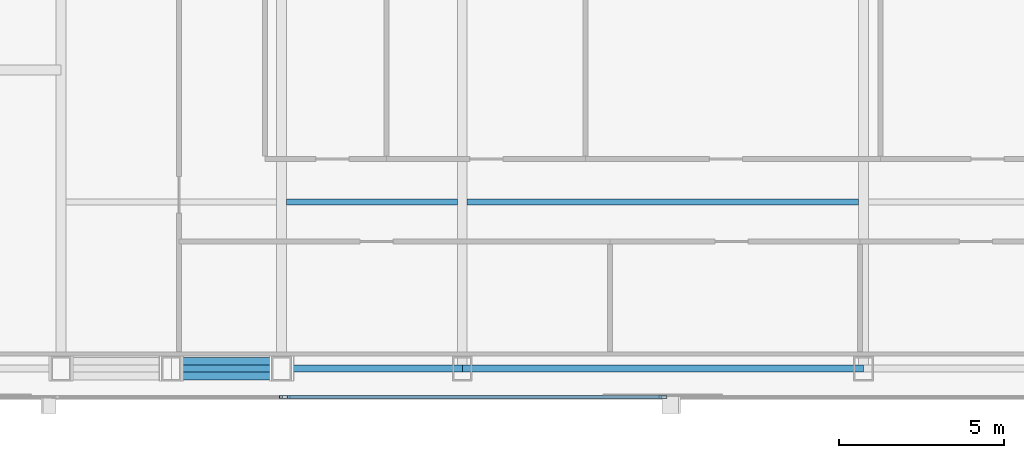
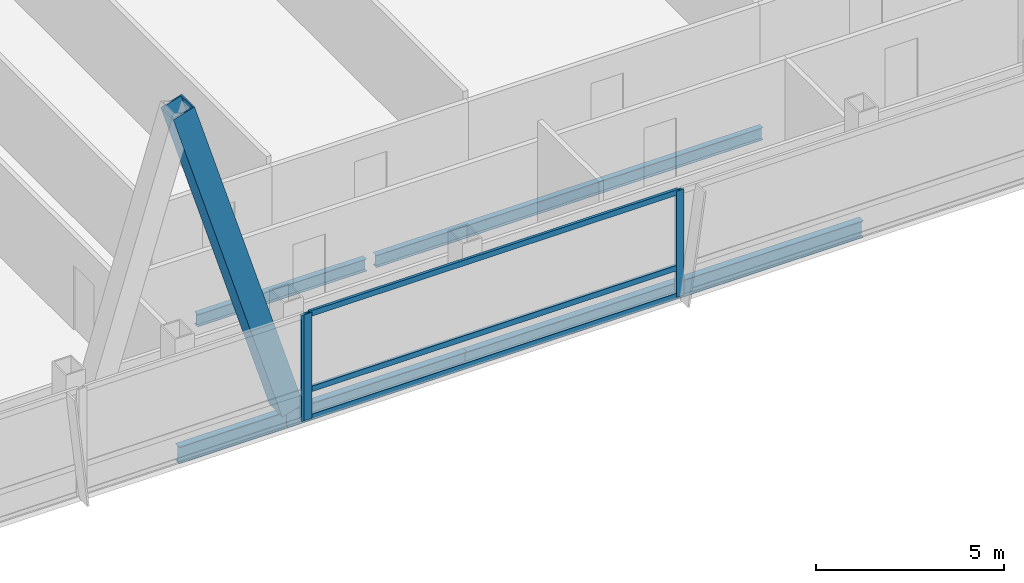
# One storey, part 8 of 31: 7 members, 5 beams, 2 elements without a shape of their own.
"""IFC4 building model written with IfcOpenShell, lengths in metres."""

from ifc_helpers import new_model, si_unit, direction, frame, origin, origin_2d, place, context, subcontext, project, spatial, hollow_rectangle, i_section, extrude, material, material_profile, profile_set, type_object, element, aggregate, save


model = new_model("IFC4")

# Units and contexts
model_context = context("Model", 3, precision=1e-05, world=origin(), true_north=direction((0.0, 1.0)))
body_context = subcontext(model_context, "Body", "Model", "MODEL_VIEW")
ifc_project = project(units=[si_unit("LENGTHUNIT", "METRE"), si_unit("AREAUNIT", "SQUARE_METRE"), si_unit("VOLUMEUNIT", "CUBIC_METRE"), si_unit("PLANEANGLEUNIT", "RADIAN"), si_unit("MASSUNIT", "GRAM", prefix="KILO")], contexts=[model_context])

# Site, building, storey
site_placement = place(None, origin())
site = spatial("IfcSite", under=ifc_project, at=site_placement, CompositionType="ELEMENT")
building_placement = place(site_placement, origin())
building = spatial("IfcBuilding", under=site, at=building_placement, Name="Khoronbel Lancet Exchange", CompositionType="ELEMENT")
storey_placement = place(building_placement, frame((0.0, 0.0, 273.39990234375)))
storey = spatial("IfcBuildingStorey", under=building, at=storey_placement, Name="L70", CompositionType="ELEMENT", Elevation=273.39990234375)

# Beams
ifc_material_1 = material(Name="Steel S355", Category="steel")
ifc_material_profile_1 = material_profile(ifc_material_1, i_section(OverallWidth=0.179931640625, OverallDepth=0.39990234375, WebThickness=0.008544921875, FlangeThickness=0.013427734375, at=origin_2d()), Name="IPE 400")
ifc_profile_set_1 = profile_set([ifc_material_profile_1], Name="Steel S355")
beam_type_1 = type_object("IfcBeamType", Name="BM-BJ5", PredefinedType="JOIST", material=ifc_profile_set_1)
beam_1_placement = place(storey_placement, frame((25.050048828125, 15.199951171875, -0.35986328125), z_axis=(1.0, 0.0, 0.0), x_axis=(0.0, 1.0, 0.0)))
element("IfcBeam", 1, at=beam_1_placement, inside=storey, type_object=beam_type_1, Name="Level L70 secondary composite joist J02", PredefinedType="JOIST", context=body_context, shape_type="SweptSolid", body=[
    extrude(i_section(OverallWidth=0.179931640625, OverallDepth=0.39990234375, WebThickness=0.008544921875, FlangeThickness=0.013427734375, at=origin_2d()), origin(), (0.0, 0.0, 1.0), 5.175048828125),
])
beam_2_placement = place(storey_placement, frame((30.52490234375, 15.199951171875, -0.35986328125), z_axis=(1.0, 0.0, 0.0), x_axis=(0.0, 1.0, 0.0)))
element("IfcBeam", 2, at=beam_2_placement, inside=storey, type_object=beam_type_1, Name="Level L70 secondary composite joist J03", PredefinedType="JOIST", context=body_context, shape_type="SweptSolid", body=[
    extrude(i_section(OverallWidth=0.179931640625, OverallDepth=0.39990234375, WebThickness=0.008544921875, FlangeThickness=0.013427734375, at=origin_2d()), origin(), (0.0, 0.0, 1.0), 11.85009765625),
])
ifc_material_profile_2 = material_profile(ifc_material_1, i_section(OverallWidth=0.2099609375, OverallDepth=0.550048828125, WebThickness=0.010986328125, FlangeThickness=0.01708984375, at=origin_2d()), Name="IPE 550")
ifc_profile_set_2 = profile_set([ifc_material_profile_2], Name="Steel S355")
beam_type_2 = type_object("IfcBeamType", Name="BM-BSP3", PredefinedType="SPANDREL", material=ifc_profile_set_2)
beam_3_placement = place(storey_placement, frame((21.5625, 10.14990234375, -0.434814453125), z_axis=(1.0, 0.0, 0.0), x_axis=(0.0, 1.0, 0.0)))
element("IfcBeam", 3, at=beam_3_placement, inside=storey, type_object=beam_type_2, Name="Level L70 perimeter spandrel beam SP03", PredefinedType="SPANDREL", context=body_context, shape_type="SweptSolid", body=[
    extrude(i_section(OverallWidth=0.2099609375, OverallDepth=0.550048828125, WebThickness=0.010986328125, FlangeThickness=0.01708984375, at=origin_2d()), origin(), (0.0, 0.0, 1.0), 3.33740234375),
])
beam_4_placement = place(storey_placement, frame((24.89990234375, 10.14990234375, -0.434814453125), z_axis=(1.0, 0.0, 0.0), x_axis=(0.0, 1.0, 0.0)))
element("IfcBeam", 4, at=beam_4_placement, inside=storey, type_object=beam_type_2, Name="Level L70 perimeter spandrel beam SP04", PredefinedType="SPANDREL", context=body_context, shape_type="SweptSolid", body=[
    extrude(i_section(OverallWidth=0.2099609375, OverallDepth=0.550048828125, WebThickness=0.010986328125, FlangeThickness=0.01708984375, at=origin_2d()), origin(), (0.0, 0.0, 1.0), 5.47509765625),
])
beam_5_placement = place(storey_placement, frame((30.375, 10.14990234375, -0.434814453125), z_axis=(1.0, 0.0, 0.0), x_axis=(0.0, 1.0, 0.0)))
element("IfcBeam", 5, at=beam_5_placement, inside=storey, type_object=beam_type_2, Name="Level L70 perimeter spandrel beam SP05", PredefinedType="SPANDREL", context=body_context, shape_type="SweptSolid", body=[
    extrude(i_section(OverallWidth=0.2099609375, OverallDepth=0.550048828125, WebThickness=0.010986328125, FlangeThickness=0.01708984375, at=origin_2d()), origin(), (0.0, 0.0, 1.0), 12.14990234375),
])

# Curtain wall, member
ifc_material_2 = material(Name="Low-E Solar Control Insulating Glass", Category="glass")
curtain_wall_type = type_object("IfcCurtainWallType", Name="CW-3", PredefinedType="NOTDEFINED", material=ifc_material_2)
curtain_wall_1_placement = place(storey_placement, origin())
curtain_wall_1 = element("IfcCurtainWall", 6, at=curtain_wall_1_placement, inside=storey, type_object=curtain_wall_type, Name="Unitised curtain wall CW-L70-SWB", PredefinedType="NOTDEFINED")
ifc_material_3 = material(Name="Bronze-Anodised Aluminium 6063-T6", Category="aluminium")
ifc_material_profile_3 = material_profile(ifc_material_3, hollow_rectangle(XDim=0.0849609375, YDim=0.239990234375, WallThickness=0.006103515625, at=origin_2d()), Name="ALU MULLION 85x240")
ifc_profile_set_3 = profile_set([ifc_material_profile_3], Name="Bronze-Anodised Aluminium 6063-T6")
member_type_1 = type_object("IfcMemberType", Name="MEM-CWM1", PredefinedType="MULLION", material=ifc_profile_set_3)
member_1_placement = place(storey_placement, frame((24.95751953125, 9.2900390625, 0.0), z_axis=(0.0, 0.0, 1.0), x_axis=(0.0, 1.0, 0.0)))
member_1 = element("IfcMember", 7, at=member_1_placement, type_object=member_type_1, Name="CW3 mullion 2", PredefinedType="MULLION", context=body_context, shape_type="SweptSolid", body=[
    extrude(hollow_rectangle(XDim=0.0849609375, YDim=0.239990234375, WallThickness=0.006103515625, at=origin_2d()), origin(), (0.0, 0.0, 1.0), 3.440185546875),
])
aggregate(curtain_wall_1, [member_1])

# Curtain wall, members
curtain_wall_2_placement = place(storey_placement, origin())
curtain_wall_2 = element("IfcCurtainWall", 8, at=curtain_wall_2_placement, inside=storey, type_object=curtain_wall_type, Name="Unitised curtain wall CW-L70-SCV", PredefinedType="NOTDEFINED")
member_2_placement = place(storey_placement, frame((25.04248046875, 9.2900390625, 0.0), z_axis=(0.0, 0.0, 1.0), x_axis=(0.0, 1.0, 0.0)))
member_2 = element("IfcMember", 9, at=member_2_placement, type_object=member_type_1, Name="CW3 mullion 1", PredefinedType="MULLION", context=body_context, shape_type="SweptSolid", body=[
    extrude(hollow_rectangle(XDim=0.0849609375, YDim=0.239990234375, WallThickness=0.006103515625, at=origin_2d()), origin(), (0.0, 0.0, 1.0), 3.440185546875),
])
member_3_placement = place(storey_placement, frame((36.449951171875, 9.2900390625, 0.0), z_axis=(0.0, 0.0, 1.0), x_axis=(0.0, 1.0, 0.0)))
member_3 = element("IfcMember", 10, at=member_3_placement, type_object=member_type_1, Name="CW3 mullion 2", PredefinedType="MULLION", context=body_context, shape_type="SweptSolid", body=[
    extrude(hollow_rectangle(XDim=0.0849609375, YDim=0.239990234375, WallThickness=0.006103515625, at=origin_2d()), origin(), (0.0, 0.0, 1.0), 3.440185546875),
])
ifc_material_profile_4 = material_profile(ifc_material_3, hollow_rectangle(XDim=0.0849609375, YDim=0.179931640625, WallThickness=0.0048828125, at=origin_2d()), Name="ALU TRANSOM 85x180")
ifc_profile_set_4 = profile_set([ifc_material_profile_4], Name="Bronze-Anodised Aluminium 6063-T6")
member_type_2 = type_object("IfcMemberType", Name="MEM-CWT1", PredefinedType="USERDEFINED", material=ifc_profile_set_4)
member_4_placement = place(storey_placement, frame((25.0849609375, 9.2900390625, 0.04248046875), z_axis=(1.0, 0.0, 0.0), x_axis=(0.0, 1.0, 0.0)))
member_4 = element("IfcMember", 11, at=member_4_placement, type_object=member_type_2, Name="CW3 transom 1.1", ObjectType="TRANSOM", PredefinedType="USERDEFINED", context=body_context, shape_type="SweptSolid", body=[
    extrude(hollow_rectangle(XDim=0.0849609375, YDim=0.179931640625, WallThickness=0.0048828125, at=origin_2d()), origin(), (0.0, 0.0, 1.0), 11.322509765625),
])
member_5_placement = place(storey_placement, frame((25.0849609375, 9.2900390625, 0.9501953125), z_axis=(1.0, 0.0, 0.0), x_axis=(0.0, 1.0, 0.0)))
member_5 = element("IfcMember", 12, at=member_5_placement, type_object=member_type_2, Name="CW3 transom 1.2", ObjectType="TRANSOM", PredefinedType="USERDEFINED", context=body_context, shape_type="SweptSolid", body=[
    extrude(hollow_rectangle(XDim=0.0849609375, YDim=0.179931640625, WallThickness=0.0048828125, at=origin_2d()), origin(), (0.0, 0.0, 1.0), 11.322509765625),
])
member_6_placement = place(storey_placement, frame((25.0849609375, 9.2900390625, 3.397705078125), z_axis=(1.0, 0.0, 0.0), x_axis=(0.0, 1.0, 0.0)))
member_6 = element("IfcMember", 13, at=member_6_placement, type_object=member_type_2, Name="CW3 transom 1.3", ObjectType="TRANSOM", PredefinedType="USERDEFINED", context=body_context, shape_type="SweptSolid", body=[
    extrude(hollow_rectangle(XDim=0.0849609375, YDim=0.179931640625, WallThickness=0.0048828125, at=origin_2d()), origin(), (0.0, 0.0, 1.0), 11.322509765625),
])
aggregate(curtain_wall_2, [member_2, member_3, member_4, member_5, member_6])

# Member
ifc_material_4 = material(Name="Steel S460", Category="steel")
ifc_material_profile_5 = material_profile(ifc_material_4, hollow_rectangle(XDim=0.679931640625, YDim=0.679931640625, WallThickness=0.044921875, at=origin_2d()), Name="BOX 680x680x45")
ifc_profile_set_5 = profile_set([ifc_material_profile_5], Name="Steel S460")
member_type_3 = type_object("IfcMemberType", Name="MEM-MB3", PredefinedType="BRACE", material=ifc_profile_set_5)
member_7_placement = place(storey_placement, frame((24.89990234375, 10.14990234375, 0.0), z_axis=(-0.295242108906, 0.0, 0.955422470496), x_axis=(0.0, -1.0, 0.0)))
element("IfcMember", 14, at=member_7_placement, inside=storey, type_object=member_type_3, Name="Perimeter lancet brace tier 24 S-W-R", PredefinedType="BRACE", context=body_context, shape_type="SweptSolid", body=[
    extrude(hollow_rectangle(XDim=0.679931640625, YDim=0.679931640625, WallThickness=0.044921875, at=origin_2d()), origin(), (0.0, 0.0, 1.0), 11.303955078125),
])

save(model, "model.ifc")
